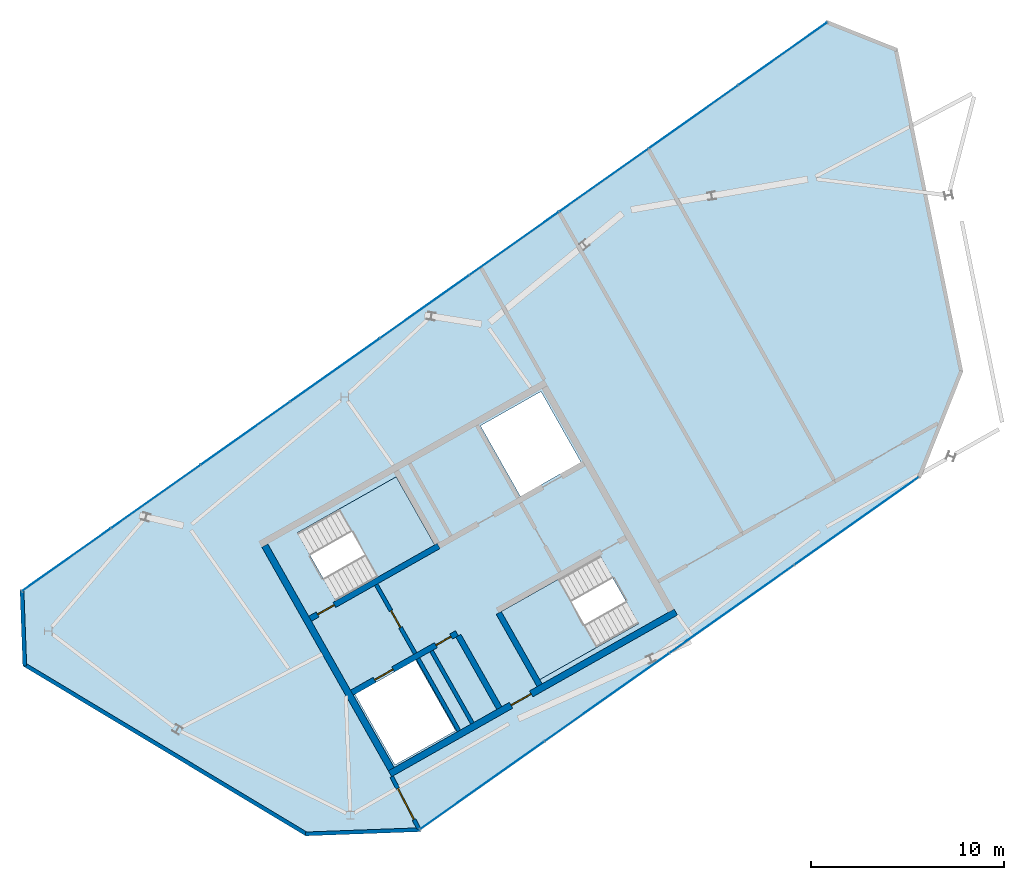
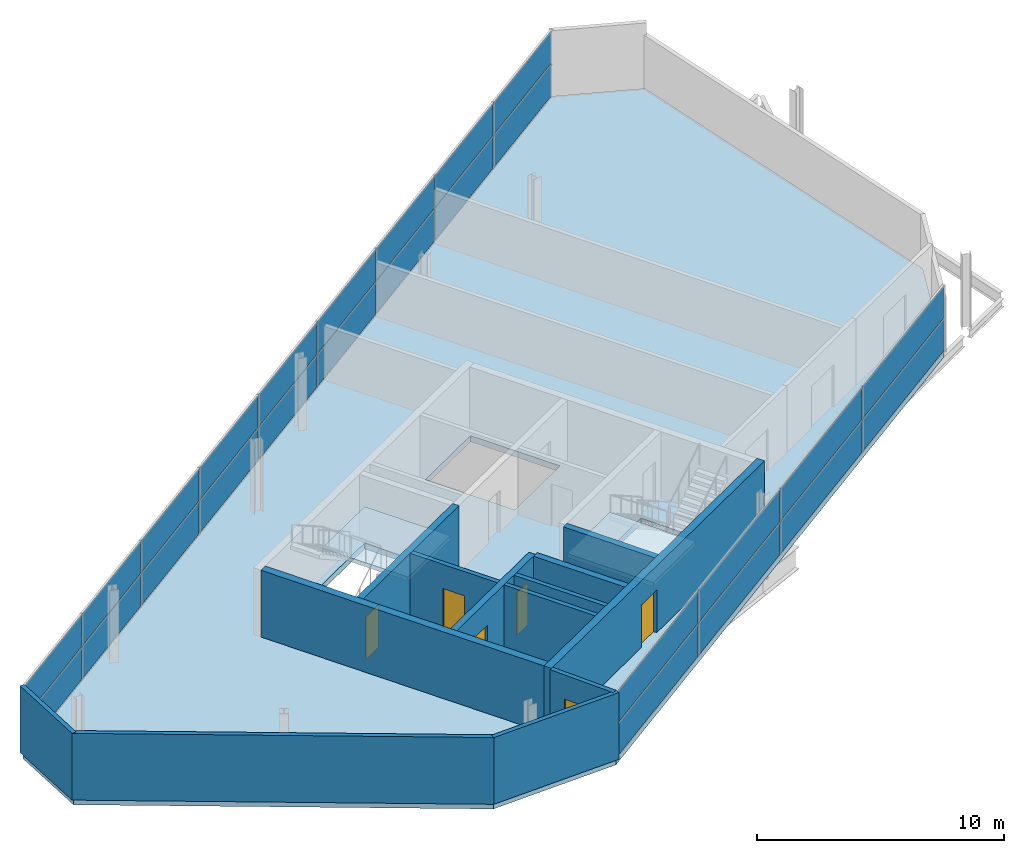
# One storey, part 9 of 11: 26 plates, 13 walls, 6 doors, 3 slabs, 6 openings, 4 elements without a shape of their own.
"""IFC4 building model written with IfcOpenShell, lengths in metres."""

from ifc_helpers import new_model, si_unit, direction, frame, frame_2d, origin, origin_2d, place, context, subcontext, project, spatial, polyline, rectangle, outline, extrude, material, layer, layer_set, type_object, element, fill, aggregate, save


model = new_model("IFC4")

# Units and contexts
model_context = context("Model", 3, precision=1e-05, world=origin(), true_north=direction((0.0, 1.0)))
body_context = subcontext(model_context, "Body", "Model", "MODEL_VIEW")
ifc_project = project(units=[si_unit("LENGTHUNIT", "METRE"), si_unit("AREAUNIT", "SQUARE_METRE"), si_unit("VOLUMEUNIT", "CUBIC_METRE"), si_unit("PLANEANGLEUNIT", "RADIAN"), si_unit("MASSUNIT", "GRAM", prefix="KILO")], contexts=[model_context])

# Site, building, storey
site_placement = place(None, origin())
site = spatial("IfcSite", under=ifc_project, at=site_placement, CompositionType="ELEMENT")
building_placement = place(site_placement, origin())
building = spatial("IfcBuilding", under=site, at=building_placement, Name="Binnacle Exchange Tower", CompositionType="ELEMENT")
storey_placement = place(building_placement, frame((0.0, 0.0, 361.300048828125)))
storey = spatial("IfcBuildingStorey", under=building, at=storey_placement, Name="L83", CompositionType="ELEMENT", Elevation=361.300048828125)

# Curtain wall, plates
ifc_material_1 = material(Name="Bronze anodised aluminium frame", Category="aluminium")
curtain_wall_type = type_object("IfcCurtainWallType", Name="External wall - curtain wall crown top", PredefinedType="NOTDEFINED", material=ifc_material_1)
curtain_wall_1_placement = place(storey_placement, origin())
curtain_wall_1 = element("IfcCurtainWall", 1, at=curtain_wall_1_placement, inside=storey, type_object=curtain_wall_type, Name="External wall curtain wall CW6-C303 L83", PredefinedType="NOTDEFINED")
ifc_material_2 = material(Name="Glass", Category="glass")
ifc_layer_1 = layer(ifc_material_2, 0.02392578125)
ifc_layer_set_1 = layer_set([ifc_layer_1], Name="CW6 GLASS PANEL 24")
plate_type = type_object("IfcPlateType", Name="CW6 GLASS PANEL 24", PredefinedType="CURTAIN_PANEL", material=ifc_layer_set_1)
plate_1_placement = place(storey_placement, frame((-19.462158203125, 66.922119140625, 0.0400390625), z_axis=(0.0, 0.0, 1.0), x_axis=(-0.816847180221, -0.576854127285, 0.0)))
plate_1 = element("IfcPlate", 2, at=plate_1_placement, type_object=plate_type, Name="CW6-C303 panel 1.1", PredefinedType="CURTAIN_PANEL", context=body_context, shape_type="SweptSolid", body=[
    extrude(rectangle(XDim=5.604736328125, YDim=0.02392578125, at=origin_2d()), origin(), (0.0, 0.0, 1.0), 1.590087890625),
])
plate_2_placement = place(storey_placement, frame((-19.462158203125, 66.922119140625, 1.669921875), z_axis=(0.0, 0.0, 1.0), x_axis=(-0.816847180221, -0.576854127285, 0.0)))
plate_2 = element("IfcPlate", 3, at=plate_2_placement, type_object=plate_type, Name="CW6-C303 panel 1.2", PredefinedType="CURTAIN_PANEL", context=body_context, shape_type="SweptSolid", body=[
    extrude(rectangle(XDim=5.604736328125, YDim=0.02392578125, at=origin_2d()), origin(), (0.0, 0.0, 1.0), 1.590087890625),
])
plate_3_placement = place(storey_placement, frame((-24.091552734375, 63.653076171875, 0.0400390625), z_axis=(0.0, 0.0, 1.0), x_axis=(-0.816847180221, -0.576854127285, 0.0)))
plate_3 = element("IfcPlate", 4, at=plate_3_placement, type_object=plate_type, Name="CW6-C303 panel 2.1", PredefinedType="CURTAIN_PANEL", context=body_context, shape_type="SweptSolid", body=[
    extrude(rectangle(XDim=5.6298828125, YDim=0.02392578125, at=origin_2d()), origin(), (0.0, 0.0, 1.0), 1.590087890625),
])
plate_4_placement = place(storey_placement, frame((-24.091552734375, 63.653076171875, 1.669921875), z_axis=(0.0, 0.0, 1.0), x_axis=(-0.816847180221, -0.576854127285, 0.0)))
plate_4 = element("IfcPlate", 5, at=plate_4_placement, type_object=plate_type, Name="CW6-C303 panel 2.2", PredefinedType="CURTAIN_PANEL", context=body_context, shape_type="SweptSolid", body=[
    extrude(rectangle(XDim=5.6298828125, YDim=0.02392578125, at=origin_2d()), origin(), (0.0, 0.0, 1.0), 1.590087890625),
])
plate_5_placement = place(storey_placement, frame((-28.731201171875, 60.376708984375, 0.0400390625), z_axis=(0.0, 0.0, 1.0), x_axis=(-0.816847180221, -0.576854127285, 0.0)))
plate_5 = element("IfcPlate", 6, at=plate_5_placement, type_object=plate_type, Name="CW6-C303 panel 3.1", PredefinedType="CURTAIN_PANEL", context=body_context, shape_type="SweptSolid", body=[
    extrude(rectangle(XDim=5.6298828125, YDim=0.02392578125, at=origin_2d()), origin(), (0.0, 0.0, 1.0), 1.590087890625),
])
plate_6_placement = place(storey_placement, frame((-28.731201171875, 60.376708984375, 1.669921875), z_axis=(0.0, 0.0, 1.0), x_axis=(-0.816847180221, -0.576854127285, 0.0)))
plate_6 = element("IfcPlate", 7, at=plate_6_placement, type_object=plate_type, Name="CW6-C303 panel 3.2", PredefinedType="CURTAIN_PANEL", context=body_context, shape_type="SweptSolid", body=[
    extrude(rectangle(XDim=5.6298828125, YDim=0.02392578125, at=origin_2d()), origin(), (0.0, 0.0, 1.0), 1.590087890625),
])
plate_7_placement = place(storey_placement, frame((-33.37060546875, 57.10009765625, 0.0400390625), z_axis=(0.0, 0.0, 1.0), x_axis=(-0.816847180221, -0.576854127285, 0.0)))
plate_7 = element("IfcPlate", 8, at=plate_7_placement, type_object=plate_type, Name="CW6-C303 panel 4.1", PredefinedType="CURTAIN_PANEL", context=body_context, shape_type="SweptSolid", body=[
    extrude(rectangle(XDim=5.6298828125, YDim=0.02392578125, at=origin_2d()), origin(), (0.0, 0.0, 1.0), 1.590087890625),
])
plate_8_placement = place(storey_placement, frame((-33.37060546875, 57.10009765625, 1.669921875), z_axis=(0.0, 0.0, 1.0), x_axis=(-0.816847180221, -0.576854127285, 0.0)))
plate_8 = element("IfcPlate", 9, at=plate_8_placement, type_object=plate_type, Name="CW6-C303 panel 4.2", PredefinedType="CURTAIN_PANEL", context=body_context, shape_type="SweptSolid", body=[
    extrude(rectangle(XDim=5.6298828125, YDim=0.02392578125, at=origin_2d()), origin(), (0.0, 0.0, 1.0), 1.590087890625),
])
plate_9_placement = place(storey_placement, frame((-38.01025390625, 53.82373046875, 0.0400390625), z_axis=(0.0, 0.0, 1.0), x_axis=(-0.816847180221, -0.576854127285, 0.0)))
plate_9 = element("IfcPlate", 10, at=plate_9_placement, type_object=plate_type, Name="CW6-C303 panel 5.1", PredefinedType="CURTAIN_PANEL", context=body_context, shape_type="SweptSolid", body=[
    extrude(rectangle(XDim=5.6298828125, YDim=0.02392578125, at=origin_2d()), origin(), (0.0, 0.0, 1.0), 1.590087890625),
])
plate_10_placement = place(storey_placement, frame((-38.01025390625, 53.82373046875, 1.669921875), z_axis=(0.0, 0.0, 1.0), x_axis=(-0.816847180221, -0.576854127285, 0.0)))
plate_10 = element("IfcPlate", 11, at=plate_10_placement, type_object=plate_type, Name="CW6-C303 panel 5.2", PredefinedType="CURTAIN_PANEL", context=body_context, shape_type="SweptSolid", body=[
    extrude(rectangle(XDim=5.6298828125, YDim=0.02392578125, at=origin_2d()), origin(), (0.0, 0.0, 1.0), 1.590087890625),
])
plate_11_placement = place(storey_placement, frame((-42.649658203125, 50.54736328125, 0.0400390625), z_axis=(0.0, 0.0, 1.0), x_axis=(-0.816847180221, -0.576854127285, 0.0)))
plate_11 = element("IfcPlate", 12, at=plate_11_placement, type_object=plate_type, Name="CW6-C303 panel 6.1", PredefinedType="CURTAIN_PANEL", context=body_context, shape_type="SweptSolid", body=[
    extrude(rectangle(XDim=5.6298828125, YDim=0.02392578125, at=origin_2d()), origin(), (0.0, 0.0, 1.0), 1.590087890625),
])
plate_12_placement = place(storey_placement, frame((-42.649658203125, 50.54736328125, 1.669921875), z_axis=(0.0, 0.0, 1.0), x_axis=(-0.816847180221, -0.576854127285, 0.0)))
plate_12 = element("IfcPlate", 13, at=plate_12_placement, type_object=plate_type, Name="CW6-C303 panel 6.2", PredefinedType="CURTAIN_PANEL", context=body_context, shape_type="SweptSolid", body=[
    extrude(rectangle(XDim=5.6298828125, YDim=0.02392578125, at=origin_2d()), origin(), (0.0, 0.0, 1.0), 1.590087890625),
])
plate_13_placement = place(storey_placement, frame((-47.289306640625, 47.27099609375, 0.0400390625), z_axis=(0.0, 0.0, 1.0), x_axis=(-0.816847180221, -0.576854127285, 0.0)))
plate_13 = element("IfcPlate", 14, at=plate_13_placement, type_object=plate_type, Name="CW6-C303 panel 7.1", PredefinedType="CURTAIN_PANEL", context=body_context, shape_type="SweptSolid", body=[
    extrude(rectangle(XDim=5.6298828125, YDim=0.02392578125, at=origin_2d()), origin(), (0.0, 0.0, 1.0), 1.590087890625),
])
plate_14_placement = place(storey_placement, frame((-47.289306640625, 47.27099609375, 1.669921875), z_axis=(0.0, 0.0, 1.0), x_axis=(-0.816847180221, -0.576854127285, 0.0)))
plate_14 = element("IfcPlate", 15, at=plate_14_placement, type_object=plate_type, Name="CW6-C303 panel 7.2", PredefinedType="CURTAIN_PANEL", context=body_context, shape_type="SweptSolid", body=[
    extrude(rectangle(XDim=5.6298828125, YDim=0.02392578125, at=origin_2d()), origin(), (0.0, 0.0, 1.0), 1.590087890625),
])
plate_15_placement = place(storey_placement, frame((-51.9287109375, 43.99462890625, 0.0400390625), z_axis=(0.0, 0.0, 1.0), x_axis=(-0.816847180221, -0.576854127285, 0.0)))
plate_15 = element("IfcPlate", 16, at=plate_15_placement, type_object=plate_type, Name="CW6-C303 panel 8.1", PredefinedType="CURTAIN_PANEL", context=body_context, shape_type="SweptSolid", body=[
    extrude(rectangle(XDim=5.6298828125, YDim=0.02392578125, at=origin_2d()), origin(), (0.0, 0.0, 1.0), 1.590087890625),
])
plate_16_placement = place(storey_placement, frame((-51.9287109375, 43.99462890625, 1.669921875), z_axis=(0.0, 0.0, 1.0), x_axis=(-0.816847180221, -0.576854127285, 0.0)))
plate_16 = element("IfcPlate", 17, at=plate_16_placement, type_object=plate_type, Name="CW6-C303 panel 8.2", PredefinedType="CURTAIN_PANEL", context=body_context, shape_type="SweptSolid", body=[
    extrude(rectangle(XDim=5.6298828125, YDim=0.02392578125, at=origin_2d()), origin(), (0.0, 0.0, 1.0), 1.590087890625),
])
plate_17_placement = place(storey_placement, frame((-56.55810546875, 40.725341796875, 0.0400390625), z_axis=(0.0, 0.0, 1.0), x_axis=(-0.816847180221, -0.576854127285, 0.0)))
plate_17 = element("IfcPlate", 18, at=plate_17_placement, type_object=plate_type, Name="CW6-C303 panel 9.1", PredefinedType="CURTAIN_PANEL", context=body_context, shape_type="SweptSolid", body=[
    extrude(rectangle(XDim=5.604736328125, YDim=0.02392578125, at=origin_2d()), origin(), (0.0, 0.0, 1.0), 1.590087890625),
])
plate_18_placement = place(storey_placement, frame((-56.55810546875, 40.725341796875, 1.669921875), z_axis=(0.0, 0.0, 1.0), x_axis=(-0.816847180221, -0.576854127285, 0.0)))
plate_18 = element("IfcPlate", 19, at=plate_18_placement, type_object=plate_type, Name="CW6-C303 panel 9.2", PredefinedType="CURTAIN_PANEL", context=body_context, shape_type="SweptSolid", body=[
    extrude(rectangle(XDim=5.604736328125, YDim=0.02392578125, at=origin_2d()), origin(), (0.0, 0.0, 1.0), 1.590087890625),
])
aggregate(curtain_wall_1, [plate_1, plate_2, plate_3, plate_4, plate_5, plate_6, plate_7, plate_8, plate_9, plate_10, plate_11, plate_12, plate_13, plate_14, plate_15, plate_16, plate_17, plate_18])

curtain_wall_2_placement = place(storey_placement, origin())
curtain_wall_2 = element("IfcCurtainWall", 20, at=curtain_wall_2_placement, inside=storey, type_object=curtain_wall_type, Name="External wall curtain wall CW6-C307 L83", PredefinedType="NOTDEFINED")
plate_19_placement = place(storey_placement, frame((-35.033447265625, 29.037109375, 0.0400390625), z_axis=(0.0, 0.0, 1.0), x_axis=(0.816847180221, 0.576854127285, 0.0)))
plate_19 = element("IfcPlate", 21, at=plate_19_placement, type_object=plate_type, Name="CW6-C307 panel 1.1", PredefinedType="CURTAIN_PANEL", context=body_context, shape_type="SweptSolid", body=[
    extrude(rectangle(XDim=7.844482421875, YDim=0.02392578125, at=origin_2d()), origin(), (0.0, 0.0, 1.0), 1.590087890625),
])
plate_20_placement = place(storey_placement, frame((-35.033447265625, 29.037109375, 1.669921875), z_axis=(0.0, 0.0, 1.0), x_axis=(0.816847180221, 0.576854127285, 0.0)))
plate_20 = element("IfcPlate", 22, at=plate_20_placement, type_object=plate_type, Name="CW6-C307 panel 1.2", PredefinedType="CURTAIN_PANEL", context=body_context, shape_type="SweptSolid", body=[
    extrude(rectangle(XDim=7.844482421875, YDim=0.02392578125, at=origin_2d()), origin(), (0.0, 0.0, 1.0), 1.590087890625),
])
plate_21_placement = place(storey_placement, frame((-28.57470703125, 33.598388671875, 0.0400390625), z_axis=(0.0, 0.0, 1.0), x_axis=(0.816847180221, 0.576854127285, 0.0)))
plate_21 = element("IfcPlate", 23, at=plate_21_placement, type_object=plate_type, Name="CW6-C307 panel 2.1", PredefinedType="CURTAIN_PANEL", context=body_context, shape_type="SweptSolid", body=[
    extrude(rectangle(XDim=7.869384765625, YDim=0.02392578125, at=origin_2d()), origin(), (0.0, 0.0, 1.0), 1.590087890625),
])
plate_22_placement = place(storey_placement, frame((-28.57470703125, 33.598388671875, 1.669921875), z_axis=(0.0, 0.0, 1.0), x_axis=(0.816847180221, 0.576854127285, 0.0)))
plate_22 = element("IfcPlate", 24, at=plate_22_placement, type_object=plate_type, Name="CW6-C307 panel 2.2", PredefinedType="CURTAIN_PANEL", context=body_context, shape_type="SweptSolid", body=[
    extrude(rectangle(XDim=7.869384765625, YDim=0.02392578125, at=origin_2d()), origin(), (0.0, 0.0, 1.0), 1.590087890625),
])
plate_23_placement = place(storey_placement, frame((-22.105712890625, 38.166748046875, 0.0400390625), z_axis=(0.0, 0.0, 1.0), x_axis=(0.816847180221, 0.576854127285, 0.0)))
plate_23 = element("IfcPlate", 25, at=plate_23_placement, type_object=plate_type, Name="CW6-C307 panel 3.1", PredefinedType="CURTAIN_PANEL", context=body_context, shape_type="SweptSolid", body=[
    extrude(rectangle(XDim=7.869384765625, YDim=0.02392578125, at=origin_2d()), origin(), (0.0, 0.0, 1.0), 1.590087890625),
])
plate_24_placement = place(storey_placement, frame((-22.105712890625, 38.166748046875, 1.669921875), z_axis=(0.0, 0.0, 1.0), x_axis=(0.816847180221, 0.576854127285, 0.0)))
plate_24 = element("IfcPlate", 26, at=plate_24_placement, type_object=plate_type, Name="CW6-C307 panel 3.2", PredefinedType="CURTAIN_PANEL", context=body_context, shape_type="SweptSolid", body=[
    extrude(rectangle(XDim=7.869384765625, YDim=0.02392578125, at=origin_2d()), origin(), (0.0, 0.0, 1.0), 1.590087890625),
])
plate_25_placement = place(storey_placement, frame((-15.64697265625, 42.727783203125, 0.0400390625), z_axis=(0.0, 0.0, 1.0), x_axis=(0.816847180221, 0.576854127285, 0.0)))
plate_25 = element("IfcPlate", 27, at=plate_25_placement, type_object=plate_type, Name="CW6-C307 panel 4.1", PredefinedType="CURTAIN_PANEL", context=body_context, shape_type="SweptSolid", body=[
    extrude(rectangle(XDim=7.844482421875, YDim=0.02392578125, at=origin_2d()), origin(), (0.0, 0.0, 1.0), 1.590087890625),
])
plate_26_placement = place(storey_placement, frame((-15.64697265625, 42.727783203125, 1.669921875), z_axis=(0.0, 0.0, 1.0), x_axis=(0.816847180221, 0.576854127285, 0.0)))
plate_26 = element("IfcPlate", 28, at=plate_26_placement, type_object=plate_type, Name="CW6-C307 panel 4.2", PredefinedType="CURTAIN_PANEL", context=body_context, shape_type="SweptSolid", body=[
    extrude(rectangle(XDim=7.844482421875, YDim=0.02392578125, at=origin_2d()), origin(), (0.0, 0.0, 1.0), 1.590087890625),
])
aggregate(curtain_wall_2, [plate_19, plate_20, plate_21, plate_22, plate_23, plate_24, plate_25, plate_26])

# Slab
ifc_material_3 = material(Name="Concrete C35/45", Category="concrete")
ifc_layer_2 = layer(ifc_material_3, 0.300048828125)
ifc_layer_set_2 = layer_set([ifc_layer_2], Name="Floor slab 300 Concrete C35/45")
slab_type_1 = type_object("IfcSlabType", Name="Floor slab 300 Concrete C35/45", PredefinedType="FLOOR", material=ifc_layer_set_2)
slab_1_placement = place(storey_placement, frame((0.0, 0.0, -0.300048828125)))
element("IfcSlab", 29, at=slab_1_placement, inside=storey, type_object=slab_type_1, Name="S:SL:L83:01", PredefinedType="FLOOR", context=body_context, shape_type="SweptSolid", body=[
    extrude(outline(polyline([(-38.28515625, 26.74072265625), (-44.14404296875, 26.5244140625), (-58.716064453125, 35.280029296875), (-58.857177734375, 39.101806640625), (-17.1630859375, 68.5458984375), (-13.60888671875, 67.134521484375), (-10.2314453125, 50.473388671875), (-12.39501953125, 45.024169921875), (-38.28515625, 26.74072265625)]), holes=[polyline([(-41.61279296875, 33.756591796875), (-39.544677734375, 30.10107421875), (-36.411376953125, 31.873779296875), (-38.4794921875, 35.529296875), (-41.61279296875, 33.756591796875)]), polyline([(-26.9287109375, 37.4111328125), (-28.923095703125, 40.93603515625), (-34.040771484375, 38.04052734375), (-32.04638671875, 34.515625), (-26.9287109375, 37.4111328125)]), polyline([(-44.598388671875, 42.12060546875), (-42.604248046875, 38.595703125), (-37.486572265625, 41.4912109375), (-39.480712890625, 45.01611328125), (-44.598388671875, 42.12060546875)]), polyline([(-35.115966796875, 47.657958984375), (-33.047607421875, 44.00244140625), (-29.914306640625, 45.775390625), (-31.982666015625, 49.430908203125), (-35.115966796875, 47.657958984375)])]), origin(), (0.0, 0.0, 1.0), 0.300048828125),
])

# Stair, slab
stair_type = type_object("IfcStairType", Name="STAIR 20 RISERS 180", PredefinedType="HALF_TURN_STAIR", material=ifc_material_3)
stair_1_placement = place(storey_placement, origin())
stair_1 = element("IfcStair", 30, at=stair_1_placement, inside=storey, type_object=stair_type, Name="L83 Escape stair A1", PredefinedType="HALF_TURN_STAIR")
ifc_layer_3 = layer(ifc_material_3, 0.199951171875)
ifc_layer_set_3 = layer_set([ifc_layer_3], Name="STAIR LANDING 200")
slab_type_2 = type_object("IfcSlabType", Name="STAIR LANDING 200", PredefinedType="LANDING", material=ifc_layer_set_3)
slab_2_placement = place(storey_placement, frame((0.0, 0.0, 1.599853515625)))
slab_2 = element("IfcSlab", 31, at=slab_2_placement, type_object=slab_type_2, Name="STA1 landing 1", PredefinedType="LANDING", context=body_context, shape_type="SweptSolid", body=[
    extrude(outline(polyline([(-40.44580078125, 39.81689453125), (-37.486572265625, 41.4912109375), (-39.48095703125, 45.01611328125), (-42.43994140625, 43.341796875), (-40.44580078125, 39.81689453125)])), origin(), (0.0, 0.0, 1.0), 0.2001953125),
])
aggregate(stair_1, [slab_2])

stair_2_placement = place(storey_placement, origin())
stair_2 = element("IfcStair", 32, at=stair_2_placement, inside=storey, type_object=stair_type, Name="L83 Escape stair A2", PredefinedType="HALF_TURN_STAIR")
slab_3_placement = place(storey_placement, frame((0.0, 0.0, 1.599853515625)))
slab_3 = element("IfcSlab", 33, at=slab_3_placement, type_object=slab_type_2, Name="STA2 landing 1", PredefinedType="LANDING", context=body_context, shape_type="SweptSolid", body=[
    extrude(outline(polyline([(-31.08154296875, 39.71484375), (-34.040771484375, 38.04052734375), (-32.04638671875, 34.515625), (-29.087158203125, 36.18994140625), (-31.08154296875, 39.71484375)])), origin(), (0.0, 0.0, 1.0), 0.2001953125),
])
aggregate(stair_2, [slab_3])

# Wall, openings, doors
ifc_material_4 = material(Name="Concrete C70/85", Category="concrete")
ifc_layer_4 = layer(ifc_material_4, 0.300048828125)
ifc_layer_set_4 = layer_set([ifc_layer_4], Name="Core wall - front 300")
wall_type_1 = type_object("IfcWallType", Name="Core wall - front 300", PredefinedType="SOLIDWALL", material=ifc_layer_set_4)
wall_1_placement = place(storey_placement, frame((-41.773681640625, 33.837890625, 0.0), z_axis=(0.0, 0.0, 1.0), x_axis=(0.870355415866, 0.492424055132, 0.0)))
wall_1 = element("IfcWall", 34, at=wall_1_placement, inside=storey, type_object=wall_type_1, Name="Core wall CRWA2", PredefinedType="SOLIDWALL", context=body_context, shape_type="SweptSolid", body=[
    extrude(rectangle(XDim=6.25, YDim=0.300048828125, at=frame_2d((3.125, 0.0))), origin(), (0.0, 0.0, 1.0), 3.300048828125),
])
opening_1_placement = place(wall_1_placement, frame((1.349853515625, 0.0, 0.0)))
opening_1 = element("IfcOpeningElement", 35, at=opening_1_placement, cuts=wall_1, Name="Opening LD12", PredefinedType="OPENING", context=body_context, shape_type="SweptSolid", body=[
    extrude(rectangle(XDim=1.10009765625, YDim=2.10009765625, at=frame_2d((0.550048828125, 1.050048828125))), frame((0.0, 0.159912109375, 0.0), z_axis=(0.0, -1.0, 0.0), x_axis=(1.0, 0.0, 0.0)), (0.0, 0.0, 1.0), 0.320068359375),
])
opening_2_placement = place(wall_1_placement, frame((5.0, 0.0, 0.0)))
opening_2 = element("IfcOpeningElement", 36, at=opening_2_placement, cuts=wall_1, Name="Opening DA14", PredefinedType="OPENING", context=body_context, shape_type="SweptSolid", body=[
    extrude(rectangle(XDim=0.89990234375, YDim=2.10009765625, at=frame_2d((0.449951171875, 1.050048828125))), frame((0.0, 0.159912109375, 0.0), z_axis=(0.0, -1.0, 0.0), x_axis=(1.0, 0.0, 0.0)), (0.0, 0.0, 1.0), 0.320068359375),
])
ifc_material_5 = material(Name="Steel door leaf", Category="steel")
door_type_1 = type_object("IfcDoorType", Name="Fire door - lift landing 1100", OperationType="NOTDEFINED", PredefinedType="DOOR", material=ifc_material_5)
door_1_placement = place(opening_1_placement, origin())
door_1 = element("IfcDoor", 37, at=door_1_placement, inside=storey, type_object=door_type_1, Name="Landing door LD12 L83", OperationType="DOUBLE_DOOR_SLIDING", OverallHeight=2.10009765625, OverallWidth=1.10009765625, PredefinedType="DOOR", context=body_context, shape_type="SweptSolid", body=[
    extrude(rectangle(XDim=1.10009765625, YDim=2.10009765625, at=frame_2d((0.550048828125, 1.050048828125))), frame((0.0, 0.02490234375, 0.0), z_axis=(0.0, -1.0, 0.0), x_axis=(1.0, 0.0, 0.0)), (0.0, 0.0, 1.0), 0.050048828125),
])
fill(opening_1, door_1)
door_type_2 = type_object("IfcDoorType", Name="Fire door 900", OperationType="NOTDEFINED", PredefinedType="DOOR", material=ifc_material_5)
door_2_placement = place(opening_2_placement, frame((0.89990234375, 0.0, 0.0), z_axis=(0.0, 0.0, 1.0), x_axis=(-1.0, 0.0, 0.0)))
door_2 = element("IfcDoor", 38, at=door_2_placement, inside=storey, type_object=door_type_2, Name="Core room door UPS CUPBOARD", OperationType="SINGLE_SWING_LEFT", OverallHeight=2.10009765625, OverallWidth=0.89990234375, PredefinedType="DOOR", context=body_context, shape_type="SweptSolid", body=[
    extrude(rectangle(XDim=0.89990234375, YDim=2.10009765625, at=frame_2d((0.449951171875, 1.050048828125))), frame((0.0, 0.02490234375, 0.0), z_axis=(0.0, -1.0, 0.0), x_axis=(1.0, 0.0, 0.0)), (0.0, 0.0, 1.0), 0.050048828125),
])
fill(opening_2, door_2)

# Wall
wall_2_placement = place(storey_placement, frame((-36.260009765625, 36.784912109375, 0.0), z_axis=(0.0, 0.0, 1.0), x_axis=(0.492435133428, -0.870349147967, 0.0)))
element("IfcWall", 39, at=wall_2_placement, inside=storey, type_object=wall_type_1, Name="Core wall CRWA13", PredefinedType="SOLIDWALL", context=body_context, shape_type="SweptSolid", body=[
    extrude(rectangle(XDim=4.2998046875, YDim=0.300048828125, at=frame_2d((2.14990234375, 0.0))), origin(), (0.0, 0.0, 1.0), 3.300048828125),
])

# Wall, opening, door
ifc_layer_5 = layer(ifc_material_4, 0.35009765625)
ifc_layer_set_5 = layer_set([ifc_layer_5], Name="Core wall - outer 350")
wall_type_2 = type_object("IfcWallType", Name="Core wall - outer 350", PredefinedType="SOLIDWALL", material=ifc_layer_set_5)
wall_3_placement = place(storey_placement, frame((-39.80078125, 29.64013671875, 0.0), z_axis=(0.0, 0.0, 1.0), x_axis=(0.870359753402, 0.492416388494, 0.0)))
wall_3 = element("IfcWall", 40, at=wall_3_placement, inside=storey, type_object=wall_type_2, Name="Core wall CRWA1", PredefinedType="SOLIDWALL", context=body_context, shape_type="SweptSolid", body=[
    extrude(rectangle(XDim=17.0, YDim=0.35009765625, at=frame_2d((8.5, 0.0))), origin(), (0.0, 0.0, 1.0), 3.300048828125),
])
opening_3_placement = place(wall_3_placement, frame((7.199951171875, 0.0, 0.0)))
opening_3 = element("IfcOpeningElement", 41, at=opening_3_placement, cuts=wall_3, Name="Opening DA7", PredefinedType="OPENING", context=body_context, shape_type="SweptSolid", body=[
    extrude(rectangle(XDim=1.199951171875, YDim=2.10009765625, at=frame_2d((0.60009765625, 1.050048828125))), frame((0.0, 0.18505859375, 0.0), z_axis=(0.0, -1.0, 0.0), x_axis=(1.0, 0.0, 0.0)), (0.0, 0.0, 1.0), 0.3701171875),
])
door_type_3 = type_object("IfcDoorType", Name="Fire door 1200", OperationType="NOTDEFINED", PredefinedType="DOOR", material=ifc_material_5)
door_3_placement = place(opening_3_placement, frame((1.199951171875, 0.0, 0.0), z_axis=(0.0, 0.0, 1.0), x_axis=(-1.0, 0.0, 0.0)))
door_3 = element("IfcDoor", 42, at=door_3_placement, inside=storey, type_object=door_type_3, Name="Lift lobby entrance door core A", OperationType="SINGLE_SWING_RIGHT", OverallHeight=2.10009765625, OverallWidth=1.199951171875, PredefinedType="DOOR", context=body_context, shape_type="SweptSolid", body=[
    extrude(rectangle(XDim=1.199951171875, YDim=2.10009765625, at=frame_2d((0.60009765625, 1.050048828125))), frame((0.0, 0.02490234375, 0.0), z_axis=(0.0, -1.0, 0.0), x_axis=(1.0, 0.0, 0.0)), (0.0, 0.0, 1.0), 0.050048828125),
])
fill(opening_3, door_3)

# Wall
wall_4_placement = place(storey_placement, frame((-46.283935546875, 41.454345703125, 0.0), z_axis=(0.0, 0.0, 1.0), x_axis=(0.492429810477, -0.870352159619, 0.0)))
element("IfcWall", 43, at=wall_4_placement, inside=storey, type_object=wall_type_2, Name="Core wall CRWA7", PredefinedType="SOLIDWALL", context=body_context, shape_type="SweptSolid", body=[
    extrude(rectangle(XDim=13.300048828125, YDim=0.35009765625, at=frame_2d((6.64990234375, 0.0))), origin(), (0.0, 0.0, 1.0), 3.300048828125),
])

# Wall, opening, door
ifc_layer_6 = layer(ifc_material_4, 0.300048828125)
ifc_layer_set_6 = layer_set([ifc_layer_6], Name="Core wall - stair 300")
wall_type_3 = type_object("IfcWallType", Name="Core wall - stair 300", PredefinedType="SOLIDWALL", material=ifc_layer_set_6)
wall_5_placement = place(storey_placement, frame((-43.940185546875, 37.66748046875, 0.0), z_axis=(0.0, 0.0, 1.0), x_axis=(0.870352347706, 0.49242947804, 0.0)))
wall_5 = element("IfcWall", 44, at=wall_5_placement, inside=storey, type_object=wall_type_3, Name="Core wall CRWA4", PredefinedType="SOLIDWALL", context=body_context, shape_type="SweptSolid", body=[
    extrude(rectangle(XDim=7.64990234375, YDim=0.300048828125, at=frame_2d((3.824951171875, 0.0))), origin(), (0.0, 0.0, 1.0), 3.300048828125),
])
opening_4_placement = place(wall_5_placement, frame((0.449951171875, 0.0, 0.0)))
opening_4 = element("IfcOpeningElement", 45, at=opening_4_placement, cuts=wall_5, Name="Opening DA1", PredefinedType="OPENING", context=body_context, shape_type="SweptSolid", body=[
    extrude(rectangle(XDim=1.0, YDim=2.10009765625, at=frame_2d((0.5, 1.050048828125))), frame((0.0, 0.159912109375, 0.0), z_axis=(0.0, -1.0, 0.0), x_axis=(1.0, 0.0, 0.0)), (0.0, 0.0, 1.0), 0.320068359375),
])
door_type_4 = type_object("IfcDoorType", Name="Fire door 1000", OperationType="NOTDEFINED", PredefinedType="DOOR", material=ifc_material_5)
door_4_placement = place(opening_4_placement, origin())
door_4 = element("IfcDoor", 46, at=door_4_placement, inside=storey, type_object=door_type_4, Name="Stair door ST-A1", OperationType="SINGLE_SWING_LEFT", OverallHeight=2.10009765625, OverallWidth=1.0, PredefinedType="DOOR", context=body_context, shape_type="SweptSolid", body=[
    extrude(rectangle(XDim=1.0, YDim=2.10009765625, at=frame_2d((0.5, 1.050048828125))), frame((0.0, 0.02490234375, 0.0), z_axis=(0.0, -1.0, 0.0), x_axis=(1.0, 0.0, 0.0)), (0.0, 0.0, 1.0), 0.050048828125),
])
fill(opening_4, door_4)

# Walls
wall_6_placement = place(storey_placement, frame((-34.171142578125, 37.966796875, 0.0), z_axis=(0.0, 0.0, 1.0), x_axis=(0.492435133428, -0.870349147967, 0.0)))
element("IfcWall", 47, at=wall_6_placement, inside=storey, type_object=wall_type_3, Name="Core wall CRWA16", PredefinedType="SOLIDWALL", context=body_context, shape_type="SweptSolid", body=[
    extrude(rectangle(XDim=4.2998046875, YDim=0.300048828125, at=frame_2d((2.14990234375, 0.0))), origin(), (0.0, 0.0, 1.0), 3.300048828125),
])
ifc_material_6 = material(Name="Bronze aluminium louvre", Category="aluminium")
ifc_layer_7 = layer(ifc_material_6, 0.199951171875)
ifc_layer_set_7 = layer_set([ifc_layer_7], Name="External wall - crown louvre 200")
wall_type_4 = type_object("IfcWallType", Name="External wall - crown louvre 200", PredefinedType="STANDARD", material=ifc_layer_set_7)
wall_7_placement = place(storey_placement, frame((-58.714111328125, 35.22607421875, 0.0), z_axis=(0.0, 0.0, 1.0), x_axis=(-0.036847570404, 0.999320897688, 0.0)))
element("IfcWall", 48, at=wall_7_placement, inside=storey, type_object=wall_type_4, Name="External wall EW-C304 L83", PredefinedType="STANDARD", context=body_context, shape_type="SweptSolid", body=[
    extrude(rectangle(XDim=3.962158203125, YDim=0.199951171875, at=frame_2d((1.98095703125, 0.0))), origin(), (0.0, 0.0, 1.0), 3.300048828125),
])
wall_8_placement = place(storey_placement, frame((-44.11865234375, 26.50927734375, 0.0), z_axis=(0.0, 0.0, 1.0), x_axis=(-0.857168693653, 0.515035756644, 0.0)))
element("IfcWall", 49, at=wall_8_placement, inside=storey, type_object=wall_type_4, Name="External wall EW-C305 L83", PredefinedType="STANDARD", context=body_context, shape_type="SweptSolid", body=[
    extrude(rectangle(XDim=17.083984375, YDim=0.199951171875, at=frame_2d((8.5419921875, 0.0))), origin(), (0.0, 0.0, 1.0), 3.300048828125),
])
wall_9_placement = place(storey_placement, frame((-38.209716796875, 26.74365234375, 0.0), z_axis=(0.0, 0.0, 1.0), x_axis=(-0.999319030106, -0.036898185155, 0.0)))
element("IfcWall", 50, at=wall_9_placement, inside=storey, type_object=wall_type_4, Name="External wall EW-C306 L83", PredefinedType="STANDARD", context=body_context, shape_type="SweptSolid", body=[
    extrude(rectangle(XDim=5.96826171875, YDim=0.199951171875, at=frame_2d((2.984130859375, 0.0))), origin(), (0.0, 0.0, 1.0), 3.300048828125),
])

# Wall, opening, door
ifc_material_7 = material(Name="Masonry block wall", Category="masonry")
ifc_layer_8 = layer(ifc_material_7, 0.199951171875)
ifc_layer_set_8 = layer_set([ifc_layer_8], Name="Fire wall - block 200")
wall_type_5 = type_object("IfcWallType", Name="Fire wall - block 200", PredefinedType="PARTITIONING", material=ifc_layer_set_8)
wall_10_placement = place(storey_placement, frame((-39.715087890625, 29.488037109375, 0.0), z_axis=(0.0, 0.0, 1.0), x_axis=(0.461720517785, -0.887025458178, 0.0)))
wall_10 = element("IfcWall", 51, at=wall_10_placement, inside=storey, type_object=wall_type_5, Name="Partition W01", PredefinedType="PARTITIONING", context=body_context, shape_type="SweptSolid", body=[
    extrude(rectangle(XDim=3.0302734375, YDim=0.199951171875, at=frame_2d((1.51513671875, 0.0))), origin(), (0.0, 0.0, 1.0), 3.300048828125),
])
opening_5_placement = place(wall_10_placement, frame((0.699951171875, 0.0, 0.0)))
opening_5 = element("IfcOpeningElement", 52, at=opening_5_placement, cuts=wall_10, Name="Opening DL83-04", PredefinedType="OPENING", context=body_context, shape_type="SweptSolid", body=[
    extrude(rectangle(XDim=1.800048828125, YDim=2.10009765625, at=frame_2d((0.89990234375, 1.050048828125))), frame((0.0, 0.10986328125, 0.0), z_axis=(0.0, -1.0, 0.0), x_axis=(1.0, 0.0, 0.0)), (0.0, 0.0, 1.0), 0.219970703125),
])
door_type_5 = type_object("IfcDoorType", Name="Fire door 1800", OperationType="NOTDEFINED", PredefinedType="DOOR", material=ifc_material_5)
door_5_placement = place(opening_5_placement, frame((1.800048828125, 0.0, 0.0), z_axis=(0.0, 0.0, 1.0), x_axis=(-1.0, 0.0, 0.0)))
door_5 = element("IfcDoor", 53, at=door_5_placement, inside=storey, type_object=door_type_5, Name="Door DL83-04", OperationType="DOUBLE_DOOR_SINGLE_SWING", OverallHeight=2.10009765625, OverallWidth=1.800048828125, PredefinedType="DOOR", context=body_context, shape_type="SweptSolid", body=[
    extrude(rectangle(XDim=1.800048828125, YDim=2.10009765625, at=frame_2d((0.89990234375, 1.050048828125))), frame((0.0, 0.02490234375, 0.0), z_axis=(0.0, -1.0, 0.0), x_axis=(1.0, 0.0, 0.0)), (0.0, 0.0, 1.0), 0.050048828125),
])
fill(opening_5, door_5)

ifc_layer_9 = layer(ifc_material_7, 0.199951171875)
ifc_layer_set_9 = layer_set([ifc_layer_9], Name="Fire wall - vestibule 200")
wall_type_6 = type_object("IfcWallType", Name="Fire wall - vestibule 200", PredefinedType="PARTITIONING", material=ifc_layer_set_9)
wall_11_placement = place(storey_placement, frame((-40.515625, 39.4326171875, 0.0), z_axis=(0.0, 0.0, 1.0), x_axis=(0.492453559952, -0.87033872216, 0.0)))
wall_11 = element("IfcWall", 54, at=wall_11_placement, inside=storey, type_object=wall_type_6, Name="Core wall CRWA10", PredefinedType="PARTITIONING", context=body_context, shape_type="SweptSolid", body=[
    extrude(rectangle(XDim=4.099853515625, YDim=0.199951171875, at=frame_2d((2.0498046875, 0.0))), origin(), (0.0, 0.0, 1.0), 3.300048828125),
])
opening_6_placement = place(wall_11_placement, frame((1.550048828125, 0.0, 0.0)))
opening_6 = element("IfcOpeningElement", 55, at=opening_6_placement, cuts=wall_11, Name="Opening DA3", PredefinedType="OPENING", context=body_context, shape_type="SweptSolid", body=[
    extrude(rectangle(XDim=1.0, YDim=2.10009765625, at=frame_2d((0.5, 1.050048828125))), frame((0.0, 0.10986328125, 0.0), z_axis=(0.0, -1.0, 0.0), x_axis=(1.0, 0.0, 0.0)), (0.0, 0.0, 1.0), 0.219970703125),
])
door_6_placement = place(opening_6_placement, frame((1.0, 0.0, 0.0), z_axis=(0.0, 0.0, 1.0), x_axis=(-1.0, 0.0, 0.0)))
door_6 = element("IfcDoor", 56, at=door_6_placement, inside=storey, type_object=door_type_4, Name="Vestibule door VEST-W", OperationType="SINGLE_SWING_LEFT", OverallHeight=2.10009765625, OverallWidth=1.0, PredefinedType="DOOR", context=body_context, shape_type="SweptSolid", body=[
    extrude(rectangle(XDim=1.0, YDim=2.10009765625, at=frame_2d((0.5, 1.050048828125))), frame((0.0, 0.02490234375, 0.0), z_axis=(0.0, -1.0, 0.0), x_axis=(1.0, 0.0, 0.0)), (0.0, 0.0, 1.0), 0.050048828125),
])
fill(opening_6, door_6)

# Walls
ifc_layer_10 = layer(ifc_material_7, 0.199951171875)
ifc_layer_set_10 = layer_set([ifc_layer_10], Name="Riser wall 200")
wall_type_7 = type_object("IfcWallType", Name="Riser wall 200", PredefinedType="SOLIDWALL", material=ifc_layer_set_10)
wall_12_placement = place(storey_placement, frame((-38.348876953125, 35.603271484375, 0.0), z_axis=(0.0, 0.0, 1.0), x_axis=(0.492410799949, -0.870362915164, 0.0)))
element("IfcWall", 57, at=wall_12_placement, inside=storey, type_object=wall_type_7, Name="Core wall CRWA8", PredefinedType="SOLIDWALL", context=body_context, shape_type="SweptSolid", body=[
    extrude(rectangle(XDim=4.300048828125, YDim=0.199951171875, at=frame_2d((2.14990234375, 0.0))), origin(), (0.0, 0.0, 1.0), 3.300048828125),
])
wall_13_placement = place(storey_placement, frame((-37.652587890625, 35.9970703125, 0.0), z_axis=(0.0, 0.0, 1.0), x_axis=(0.492435133428, -0.870349147967, 0.0)))
element("IfcWall", 58, at=wall_13_placement, inside=storey, type_object=wall_type_7, Name="Core wall CRWA11", PredefinedType="SOLIDWALL", context=body_context, shape_type="SweptSolid", body=[
    extrude(rectangle(XDim=4.2998046875, YDim=0.199951171875, at=frame_2d((2.14990234375, 0.0))), origin(), (0.0, 0.0, 1.0), 3.300048828125),
])

save(model, "model.ifc")
